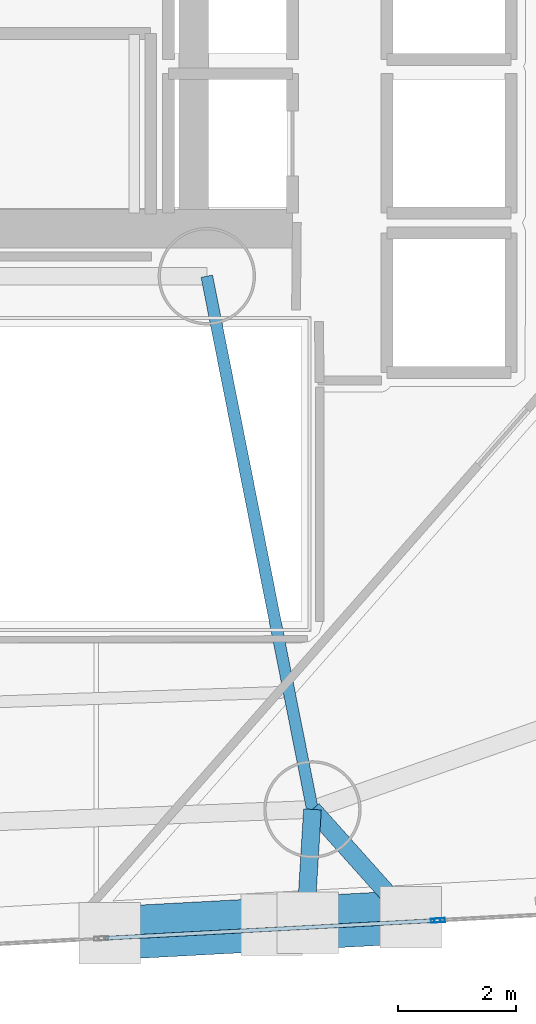
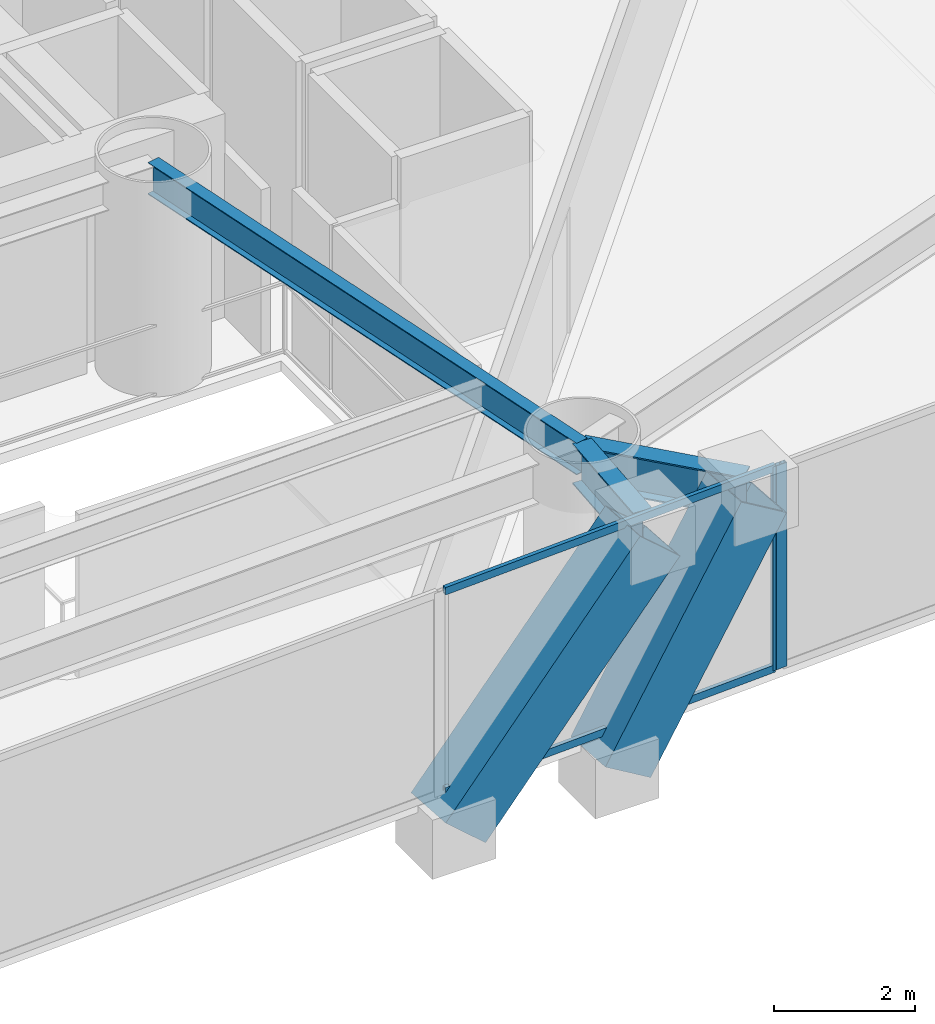
# One storey, part 6 of 23: 6 members, 3 beams, 2 elements without a shape of their own.
"""IFC4 building model written with IfcOpenShell, lengths in metres."""

import ifcopenshell
import ifcopenshell.guid

model = None  # the IFC model being written
_history = None  # IfcOwnerHistory: only IFC2X3 demands one
_inside = {}  # id of a spatial element -> (the spatial element, [elements in it])
_under = {}  # id of a project, library or spatial element -> (it, [spatial elements below it])
_declared = {}  # id of a project -> (the project, [libraries it declares])
_typed = {}  # id of a type object -> (the type object, [elements of that type])
_made_of = {}  # id of a material, layer set ... -> (it, [elements and type objects made of it])


def new_model(schema):
    """Start an empty IFC model of exactly this schema.

    Asked for "IFC4X3", IfcOpenShell would pick the latest addendum, in which some entities
    have other attributes; the version numbers below select the first issue.
    IFC2X3 requires an IfcOwnerHistory on every rooted entity: one is made here for all.
    """
    global model, _history
    if schema == "IFC4X3":
        model = ifcopenshell.file(schema_version=(4, 3, 0, 0))
    else:
        model = ifcopenshell.file(schema=schema)
    _inside.clear()
    _under.clear()
    _declared.clear()
    _typed.clear()
    _made_of.clear()
    _history = None
    if model.schema == "IFC2X3":
        org = make("IfcOrganization", Name="unknown")
        user = make(
            "IfcPersonAndOrganization",
            ThePerson=make("IfcPerson", FamilyName="unknown"),
            TheOrganization=org,
        )
        app = make(
            "IfcApplication",
            ApplicationDeveloper=org,
            Version="unknown",
            ApplicationFullName="unknown",
            ApplicationIdentifier="unknown",
        )
        _history = make(
            "IfcOwnerHistory",
            OwningUser=user,
            OwningApplication=app,
            ChangeAction="ADDED",
            CreationDate=0,
        )
    return model


def make(cls, **values):
    """One entity of the class cls with the attributes given. An attribute that is None is left unset."""
    return model.create_entity(
        cls, **{name: value for name, value in values.items() if value is not None}
    )


def rooted(cls, **values):
    """An entity with a GlobalId (a new one), such as an element, a storey or a relation."""
    return make(cls, GlobalId=ifcopenshell.guid.new(), OwnerHistory=_history, **values)


def si_unit(unit_type, name, prefix=None):
    """IfcSIUnit, for example si_unit("LENGTHUNIT", "METRE", prefix="MILLI")."""
    return make("IfcSIUnit", UnitType=unit_type, Prefix=prefix, Name=name)


def assignment(units):
    """IfcUnitAssignment: the units of a project."""
    return None if units is None else make("IfcUnitAssignment", Units=units)


def point(xyz):
    """IfcCartesianPoint."""
    return None if xyz is None else make("IfcCartesianPoint", Coordinates=xyz)


def direction(xyz):
    """IfcDirection."""
    return None if xyz is None else make("IfcDirection", DirectionRatios=xyz)


def frame(location, z_axis=None, x_axis=None):
    """IfcAxis2Placement3D, a coordinate frame: its origin and axes. An axis left out is left unset."""
    return make(
        "IfcAxis2Placement3D",
        Location=point(location),
        Axis=direction(z_axis),
        RefDirection=direction(x_axis),
    )


def frame_2d(location, x_axis=None):
    """IfcAxis2Placement2D, a coordinate frame in the plane: its origin and x axis."""
    return make(
        "IfcAxis2Placement2D", Location=point(location), RefDirection=direction(x_axis)
    )


def origin():
    """The frame at (0, 0, 0) with its axes left unset."""
    return frame((0.0, 0.0, 0.0))


def origin_2d():
    """The frame at (0, 0) in the plane with its x axis left unset."""
    return frame_2d((0.0, 0.0))


def place(relative_to, where):
    """IfcLocalPlacement: puts the frame where relative to a parent placement (None: the world)."""
    return make(
        "IfcLocalPlacement", PlacementRelTo=relative_to, RelativePlacement=where
    )


def context(
    kind, dimensions, precision=None, world=None, true_north=None, identifier=None
):
    """IfcGeometricRepresentationContext, for example the 3D "Model" context."""
    return make(
        "IfcGeometricRepresentationContext",
        ContextIdentifier=identifier,
        ContextType=kind,
        CoordinateSpaceDimension=dimensions,
        Precision=precision,
        WorldCoordinateSystem=world,
        TrueNorth=true_north,
    )


def subcontext(parent, identifier, kind, view, scale=None):
    """IfcGeometricRepresentationSubContext, for example "Body" below "Model"."""
    return make(
        "IfcGeometricRepresentationSubContext",
        ContextIdentifier=identifier,
        ContextType=kind,
        ParentContext=parent,
        TargetScale=scale,
        TargetView=view,
    )


def project(units=None, contexts=None):
    """IfcProject with its units and contexts."""
    return rooted(
        "IfcProject",
        Name="project",
        RepresentationContexts=contexts,
        UnitsInContext=assignment(units),
    )


def spatial(cls, under=None, at=None, **own):
    """A site, building, storey or space (cls), placed at a placement, below another one or the project."""
    s = rooted(cls, ObjectPlacement=at, **own)
    if under is not None:
        _under.setdefault(under.id(), (under, []))[1].append(s)
    return s


def profile(cls, at=None, kind="AREA", **sizes):
    """A parametric profile (cls). Its sizes go by their IFC names, for example OverallWidth=200.0."""
    return make(cls, ProfileType=kind, Position=at, **sizes)


def hollow_rectangle(**sizes):
    """IfcRectangleHollowProfileDef."""
    return profile("IfcRectangleHollowProfileDef", **sizes)


def i_section(**sizes):
    """IfcIShapeProfileDef."""
    return profile("IfcIShapeProfileDef", **sizes)


def extrude(swept, where, along, depth):
    """IfcExtrudedAreaSolid: the profile swept, set in the frame where, extruded along a direction by depth."""
    return make(
        "IfcExtrudedAreaSolid",
        SweptArea=swept,
        Position=where,
        ExtrudedDirection=direction(along),
        Depth=depth,
    )


def shape(context_of_items, identifier, shape_type, items):
    """IfcShapeRepresentation: the items that make up one representation, for example the "Body"."""
    return make(
        "IfcShapeRepresentation",
        ContextOfItems=context_of_items,
        RepresentationIdentifier=identifier,
        RepresentationType=shape_type,
        Items=items,
    )


def material(Name=None, Category=None):
    """IfcMaterial."""
    return make("IfcMaterial", Name=Name, Category=Category)


def layer(
    of_material, thickness, ventilated=None, Name=None, Category=None, Priority=None
):
    """IfcMaterialLayer: one layer of a wall or slab, of a material (None: an air gap)."""
    return make(
        "IfcMaterialLayer",
        Material=of_material,
        LayerThickness=thickness,
        IsVentilated=ventilated,
        Name=Name,
        Category=Category,
        Priority=Priority,
    )


def layer_set(layers, Name=None):
    """IfcMaterialLayerSet."""
    return make("IfcMaterialLayerSet", MaterialLayers=layers, LayerSetName=Name)


def material_profile(
    of_material, cross_section, Name=None, Category=None, Priority=None
):
    """IfcMaterialProfile: a cross section and its material."""
    return make(
        "IfcMaterialProfile",
        Name=Name,
        Material=of_material,
        Profile=cross_section,
        Priority=Priority,
        Category=Category,
    )


def profile_set(profiles, Name=None, composite=None):
    """IfcMaterialProfileSet."""
    return make(
        "IfcMaterialProfileSet",
        Name=Name,
        MaterialProfiles=profiles,
        CompositeProfile=composite,
    )


def made_of(thing, what):
    """Note that an element or type object is made of a material, layer set ...; save() writes the relation."""
    if what is not None:
        _made_of.setdefault(what.id(), (what, []))[1].append(thing)
    return thing


def type_object(cls, material=None, **own):
    """A type object (cls), such as IfcWallType, which elements share."""
    return made_of(rooted(cls, **own), material)


def element(
    cls,
    number,
    at=None,
    inside=None,
    cuts=None,
    type_object=None,
    material=None,
    context=None,
    identifier="Body",
    shape_type=None,
    held_by="IfcProductDefinitionShape",
    body=None,
    shapes=None,
    **own,
):
    """One element of the class cls, such as IfcWall. Its Tag is "e" and its number.

    at: its placement. inside: the storey or other place that contains it. cuts: it is an
    opening in that element (IfcRelVoidsElement). A single representation is given by context,
    identifier, shape_type and body (its items); several are given by shapes. held_by: the class
    of the entity that holds the representations. save() writes the other relations.
    """
    e = rooted(cls, Tag="e%d" % number, ObjectPlacement=at, **own)
    if body is not None:
        shapes = [shape(context, identifier, shape_type, body)]
    if shapes is not None:
        e.Representation = make(held_by, Representations=shapes)
    if inside is not None:
        _inside.setdefault(inside.id(), (inside, []))[1].append(e)
    if cuts is not None:
        rooted(
            "IfcRelVoidsElement", RelatingBuildingElement=cuts, RelatedOpeningElement=e
        )
    if type_object is not None:
        _typed.setdefault(type_object.id(), (type_object, []))[1].append(e)
    return made_of(e, material)


def aggregate(whole, parts):
    """IfcRelAggregates: a whole, such as a stair, and the parts it consists of."""
    return rooted("IfcRelAggregates", RelatingObject=whole, RelatedObjects=parts)


def save(model, path):
    """Write the relations noted so far, then the file.

    IfcRelAggregates (storeys below a building ...), IfcRelContainedInSpatialStructure (elements
    in a storey), IfcRelDefinesByType, IfcRelAssociatesMaterial and IfcRelDeclares: one each for
    every whole, place, type object, material and project.
    """
    for whole, parts in _under.values():
        aggregate(whole, parts)
    for where, things in _inside.values():
        rooted(
            "IfcRelContainedInSpatialStructure",
            RelatedElements=things,
            RelatingStructure=where,
        )
    for kind, things in _typed.values():
        rooted("IfcRelDefinesByType", RelatedObjects=things, RelatingType=kind)
    for what, things in _made_of.values():
        rooted("IfcRelAssociatesMaterial", RelatedObjects=things, RelatingMaterial=what)
    for by, libraries in _declared.values():
        rooted("IfcRelDeclares", RelatingContext=by, RelatedDefinitions=libraries)
    model.write(path)


model = new_model("IFC4")

# Units and contexts
model_context = context("Model", 3, precision=1e-05, world=origin(), true_north=direction((0.0, 1.0)))
body_context = subcontext(model_context, "Body", "Model", "MODEL_VIEW")
ifc_project = project(units=[si_unit("LENGTHUNIT", "METRE"), si_unit("AREAUNIT", "SQUARE_METRE"), si_unit("VOLUMEUNIT", "CUBIC_METRE"), si_unit("PLANEANGLEUNIT", "RADIAN"), si_unit("MASSUNIT", "GRAM", prefix="KILO")], contexts=[model_context])

# Site, building, storey
site_placement = place(None, origin())
site = spatial("IfcSite", under=ifc_project, at=site_placement, CompositionType="ELEMENT")
building_placement = place(site_placement, origin())
building = spatial("IfcBuilding", under=site, at=building_placement, Name="Qianvela Tower", CompositionType="ELEMENT")
storey_placement = place(building_placement, frame((0.0, 0.0, 56.199951171875)))
storey = spatial("IfcBuildingStorey", under=building, at=storey_placement, Name="L13", CompositionType="ELEMENT", Elevation=56.199951171875)

# Beams
ifc_material_1 = material(Name="Steel Q355B", Category="steel")
ifc_material_profile_1 = material_profile(ifc_material_1, i_section(OverallWidth=0.199951171875, OverallDepth=0.550048828125, WebThickness=0.010009765625, FlangeThickness=0.01611328125, at=origin_2d()), Name="HN550x200x10x16")
ifc_profile_set_1 = profile_set([ifc_material_profile_1], Name="Steel Q355B")
beam_type_1 = type_object("IfcBeamType", Name="BM-HN550-GIRD", PredefinedType="BEAM", material=ifc_profile_set_1)
beam_1_placement = place(storey_placement, frame((38.39990234375, 23.85009765625, 3.2431640625), z_axis=(0.194325825688, -0.980937038485, 0.0), x_axis=(0.980937038485, 0.194325825688, 0.0)))
element("IfcBeam", 1, at=beam_1_placement, inside=storey, type_object=beam_type_1, Name="L13 Radial Primary Floor Girder 6", PredefinedType="BEAM", context=body_context, shape_type="SweptSolid", body=[
    extrude(i_section(OverallWidth=0.199951171875, OverallDepth=0.550048828125, WebThickness=0.010009765625, FlangeThickness=0.01611328125, at=origin_2d()), origin(), (0.0, 0.0, 1.0), 9.20654296875),
])
ifc_material_2 = material(Name="Steel Q355B", Category="steel")
ifc_material_profile_2 = material_profile(ifc_material_2, i_section(OverallWidth=0.300048828125, OverallDepth=0.699951171875, WebThickness=0.012939453125, FlangeThickness=0.02392578125, at=origin_2d()), Name="HN700x300x13x24")
ifc_profile_set_2 = profile_set([ifc_material_profile_2], Name="Steel Q355B")
beam_type_2 = type_object("IfcBeamType", Name="BM-HN700-SPAND", PredefinedType="SPANDREL", material=ifc_profile_set_2)
beam_2_placement = place(storey_placement, frame((40.18896484375, 14.819091796875, 3.16796875), z_axis=(-0.06092425588, -0.998142392169, 0.0), x_axis=(0.998142392169, -0.06092425588, 0.0)))
element("IfcBeam", 2, at=beam_2_placement, inside=storey, type_object=beam_type_2, Name="L13 Mega-Brace Column Tie Bracket F3-1", PredefinedType="SPANDREL", context=body_context, shape_type="SweptSolid", body=[
    extrude(i_section(OverallWidth=0.300048828125, OverallDepth=0.699951171875, WebThickness=0.012939453125, FlangeThickness=0.02392578125, at=origin_2d()), origin(), (0.0, 0.0, 1.0), 1.923583984375),
])
beam_3_placement = place(storey_placement, frame((40.18896484375, 14.819091796875, 3.16796875), z_axis=(0.666587981745, -0.745426362959, 0.0), x_axis=(0.745426362959, 0.666587981745, 0.0)))
element("IfcBeam", 3, at=beam_3_placement, inside=storey, type_object=beam_type_2, Name="L13 Mega-Brace Column Tie Bracket F3-2", PredefinedType="SPANDREL", context=body_context, shape_type="SweptSolid", body=[
    extrude(i_section(OverallWidth=0.300048828125, OverallDepth=0.699951171875, WebThickness=0.012939453125, FlangeThickness=0.02392578125, at=origin_2d()), origin(), (0.0, 0.0, 1.0), 2.449462890625),
])

# Curtain wall, members
ifc_material_3 = material(Name="Anodised Architectural Aluminium and Insulated Spandrel Panel", Category="aluminium")
ifc_layer_1 = layer(ifc_material_3, 0.179931640625)
ifc_layer_set_1 = layer_set([ifc_layer_1], Name="Anodised Architectural Aluminium and Insulated Spandrel Panel")
curtain_wall_type_1 = type_object("IfcCurtainWallType", Name="CW-BRACEBAY", PredefinedType="USERDEFINED", material=ifc_layer_set_1)
curtain_wall_1_placement = place(storey_placement, origin())
curtain_wall_1 = element("IfcCurtainWall", 4, at=curtain_wall_1_placement, inside=storey, type_object=curtain_wall_type_1, Name="L13 CW-BRACEBAY Curtain Wall 06B", ObjectType="CURTAIN_WALL_SYSTEM", PredefinedType="USERDEFINED")
ifc_material_4 = material(Name="Anodised Architectural Aluminium 6063-T6", Category="aluminium")
ifc_material_profile_3 = material_profile(ifc_material_4, hollow_rectangle(XDim=0.06494140625, YDim=0.159912109375, WallThickness=0.0048828125, at=origin_2d()), Name="ALU-MULL-65x160")
ifc_profile_set_3 = profile_set([ifc_material_profile_3], Name="Anodised Architectural Aluminium 6063-T6")
member_type_1 = type_object("IfcMemberType", Name="CW-BRACEBAY-MULL", PredefinedType="MULLION", material=ifc_profile_set_3)
member_1_placement = place(storey_placement, frame((42.27587890625, 12.937255859375, 0.0), z_axis=(0.0, 0.0, 1.0), x_axis=(-0.053614052743, 0.998561732367, 0.0)))
member_1 = element("IfcMember", 5, at=member_1_placement, type_object=member_type_1, Name="CW-9 mullion 2", PredefinedType="MULLION", context=body_context, shape_type="SweptSolid", body=[
    extrude(hollow_rectangle(XDim=0.06494140625, YDim=0.159912109375, WallThickness=0.0048828125, at=origin_2d()), origin(), (0.0, 0.0, 1.0), 3.52001953125),
])
ifc_material_5 = material(Name="Anodised Architectural Aluminium 6063-T6", Category="aluminium")
ifc_material_profile_4 = material_profile(ifc_material_5, hollow_rectangle(XDim=0.06494140625, YDim=0.1298828125, WallThickness=0.00439453125, at=origin_2d()), Name="ALU-TRAN-65x130")
ifc_profile_set_4 = profile_set([ifc_material_profile_4], Name="Anodised Architectural Aluminium 6063-T6")
member_type_2 = type_object("IfcMemberType", Name="CW-BRACEBAY-TRAN", PredefinedType="USERDEFINED", material=ifc_profile_set_4)
member_2_placement = place(storey_placement, frame((36.681396484375, 12.636962890625, 0.032470703125), z_axis=(0.998562189049, 0.053605546361, 0.0), x_axis=(-0.053605546361, 0.998562189049, 0.0)))
member_2 = element("IfcMember", 6, at=member_2_placement, type_object=member_type_2, Name="CW-9 transom 1.1", ObjectType="TRANSOM", PredefinedType="USERDEFINED", context=body_context, shape_type="SweptSolid", body=[
    extrude(hollow_rectangle(XDim=0.06494140625, YDim=0.1298828125, WallThickness=0.00439453125, at=origin_2d()), origin(), (0.0, 0.0, 1.0), 5.570068359375),
])
member_3_placement = place(storey_placement, frame((36.681396484375, 12.636962890625, 3.487548828125), z_axis=(0.998562189049, 0.053605546361, 0.0), x_axis=(-0.053605546361, 0.998562189049, 0.0)))
member_3 = element("IfcMember", 7, at=member_3_placement, type_object=member_type_2, Name="CW-9 transom 1.2", ObjectType="TRANSOM", PredefinedType="USERDEFINED", context=body_context, shape_type="SweptSolid", body=[
    extrude(hollow_rectangle(XDim=0.06494140625, YDim=0.1298828125, WallThickness=0.00439453125, at=origin_2d()), origin(), (0.0, 0.0, 1.0), 5.570068359375),
])
aggregate(curtain_wall_1, [member_1, member_2, member_3])

# Curtain wall, member
ifc_material_6 = material(Name="Anodised Architectural Aluminium and Low-E Glass", Category="aluminium")
ifc_layer_2 = layer(ifc_material_6, 0.179931640625)
ifc_layer_set_2 = layer_set([ifc_layer_2], Name="Anodised Architectural Aluminium and Low-E Glass")
curtain_wall_type_2 = type_object("IfcCurtainWallType", Name="CW-COLIV-Z12", PredefinedType="USERDEFINED", material=ifc_layer_set_2)
curtain_wall_2_placement = place(storey_placement, origin())
curtain_wall_2 = element("IfcCurtainWall", 8, at=curtain_wall_2_placement, inside=storey, type_object=curtain_wall_type_2, Name="L13 CW-COLIV-Z12 Curtain Wall 06C", ObjectType="CURTAIN_WALL_SYSTEM", PredefinedType="USERDEFINED")
ifc_material_7 = material(Name="Anodised Architectural Aluminium 6063-T6", Category="aluminium")
ifc_material_profile_5 = material_profile(ifc_material_7, hollow_rectangle(XDim=0.070068359375, YDim=0.179931640625, WallThickness=0.0048828125, at=origin_2d()), Name="ALU-MULL-70x180")
ifc_profile_set_5 = profile_set([ifc_material_profile_5], Name="Anodised Architectural Aluminium 6063-T6")
member_type_3 = type_object("IfcMemberType", Name="CW-COLIV-Z12-MULL", PredefinedType="MULLION", material=ifc_profile_set_5)
member_4_placement = place(storey_placement, frame((42.34326171875, 12.94091796875, 0.0), z_axis=(0.0, 0.0, 1.0), x_axis=(-0.053601389747, 0.998562412179, 0.0)))
member_4 = element("IfcMember", 9, at=member_4_placement, type_object=member_type_3, Name="CW-3 mullion 1", PredefinedType="MULLION", context=body_context, shape_type="SweptSolid", body=[
    extrude(hollow_rectangle(XDim=0.070068359375, YDim=0.179931640625, WallThickness=0.0048828125, at=origin_2d()), origin(), (0.0, 0.0, 1.0), 3.52001953125),
])
aggregate(curtain_wall_2, [member_4])

# Members
ifc_material_8 = material(Name="Steel Q420GJC", Category="steel")
ifc_material_profile_6 = material_profile(ifc_material_8, hollow_rectangle(XDim=0.89990234375, YDim=0.89990234375, WallThickness=0.035888671875, at=origin_2d()), Name="MBOX-900x900x36")
ifc_profile_set_6 = profile_set([ifc_material_profile_6], Name="Steel Q420GJC")
member_type_4 = type_object("IfcMemberType", Name="MBR-MBRACE-900", PredefinedType="BRACE", material=ifc_profile_set_6)
member_5_placement = place(storey_placement, frame((36.796142578125, 12.723388671875, -0.531982421875), z_axis=(0.662450131482, 0.035549235646, 0.748262036418), x_axis=(-0.053586161232, 0.998563229508, 0.0)))
element("IfcMember", 10, at=member_5_placement, inside=storey, type_object=member_type_4, Name="L13 Tier 2 Exterior Mega-Brace F3A", PredefinedType="BRACE", context=body_context, shape_type="SweptSolid", body=[
    extrude(hollow_rectangle(XDim=0.89990234375, YDim=0.89990234375, WallThickness=0.035888671875, at=origin_2d()), origin(), (0.0, 0.0, 1.0), 4.94482421875),
])
member_6_placement = place(storey_placement, frame((39.5322265625, 12.8701171875, -0.531982421875), z_axis=(0.525995577943, 0.028268476358, 0.850017379369), x_axis=(-0.053665357658, 0.998558976419, 0.0)))
element("IfcMember", 11, at=member_6_placement, inside=storey, type_object=member_type_4, Name="L13 Tier 2 Exterior Mega-Brace F3B", PredefinedType="BRACE", context=body_context, shape_type="SweptSolid", body=[
    extrude(hollow_rectangle(XDim=0.89990234375, YDim=0.89990234375, WallThickness=0.035888671875, at=origin_2d()), origin(), (0.0, 0.0, 1.0), 4.352783203125),
])

save(model, "model.ifc")
